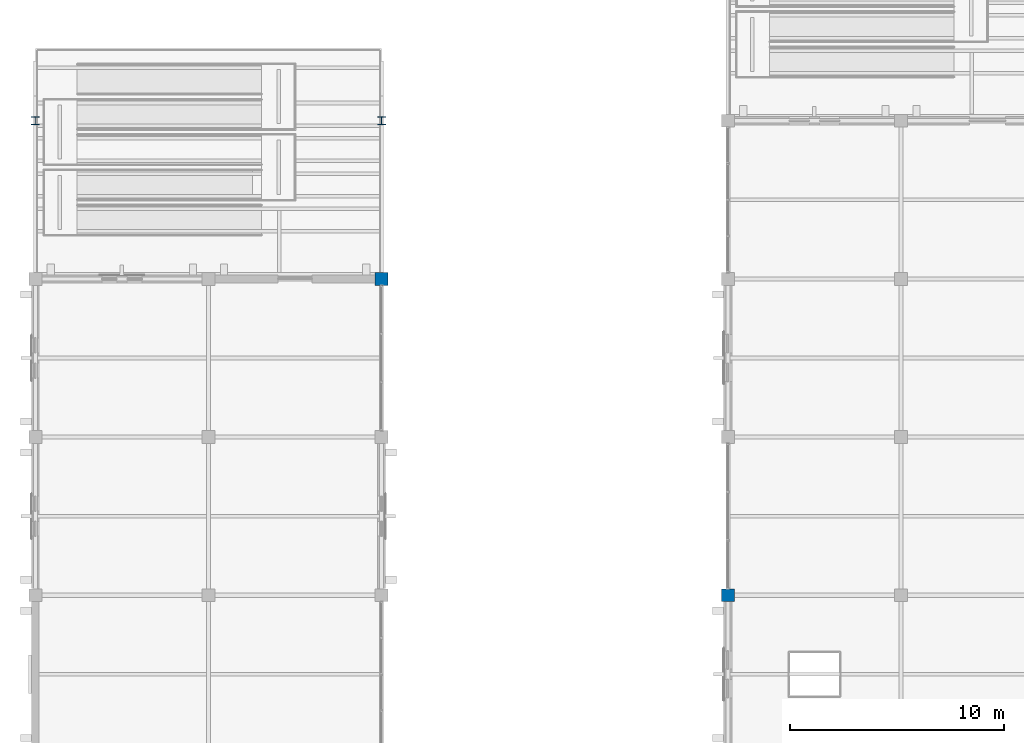
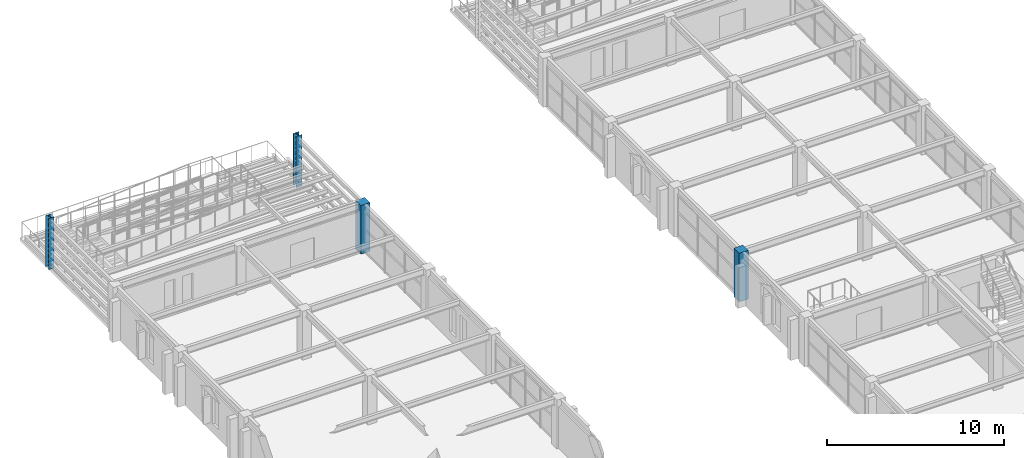
# One storey, part 2 of 121: 4 columns.
"""IFC4 building model written with IfcOpenShell, lengths in metres."""

from ifc_helpers import new_model, si_unit, direction, frame, origin, origin_2d, place, context, subcontext, project, spatial, rectangle, i_section, extrude, material, material_profile, profile_set, type_object, element, save


model = new_model("IFC4")

# Units and contexts
model_context = context("Model", 3, precision=1e-05, world=origin(), true_north=direction((0.0, 1.0)))
body_context = subcontext(model_context, "Body", "Model", "MODEL_VIEW")
ifc_project = project(units=[si_unit("LENGTHUNIT", "METRE"), si_unit("AREAUNIT", "SQUARE_METRE"), si_unit("VOLUMEUNIT", "CUBIC_METRE"), si_unit("PLANEANGLEUNIT", "RADIAN"), si_unit("MASSUNIT", "GRAM", prefix="KILO")], contexts=[model_context])

# Site, building, storey
site_placement = place(None, origin())
site = spatial("IfcSite", under=ifc_project, at=site_placement, CompositionType="ELEMENT")
building_placement = place(site_placement, origin())
building = spatial("IfcBuilding", under=site, at=building_placement, Name="Cimatlan Art Gallery", CompositionType="ELEMENT")
storey_placement = place(building_placement, frame((0.0, 0.0, 10.199951171875)))
storey = spatial("IfcBuildingStorey", under=building, at=storey_placement, Name="L02", CompositionType="ELEMENT", Elevation=10.199951171875)

# Columns
ifc_material_1 = material(Name="Concrete C45/55", Category="concrete")
ifc_material_profile_1 = material_profile(ifc_material_1, rectangle(XDim=0.60009765625, YDim=0.60009765625, at=origin_2d()), Name="RC600X600")
ifc_profile_set_1 = profile_set([ifc_material_profile_1], Name="Concrete C45/55")
column_type_1 = type_object("IfcColumnType", Name="COL-RC-600", PredefinedType="COLUMN", material=ifc_profile_set_1)
for number, where, z_axis, x_axis, name in (
    (1, (18.199951171875, 83.10009765625, 0.0), (0.0, 0.0, 1.0), (1.0, 0.0, 0.0), "COL-L02-02-11"),
    (2, (34.39990234375, 68.300048828125, 0.0), (0.0, 0.0, 1.0), (1.0, 0.0, 0.0), "COL-L02-04-09"),
):
    element("IfcColumn", number, at=place(storey_placement, frame(where, z_axis=z_axis, x_axis=x_axis)), inside=storey, type_object=column_type_1, Name=name, PredefinedType="COLUMN", context=body_context, shape_type="SweptSolid", body=[
        extrude(rectangle(XDim=0.60009765625, YDim=0.60009765625, at=origin_2d()), origin(), (0.0, 0.0, 1.0), 3.3701171875),
    ])
ifc_material_2 = material(Name="Steel ASTM A992 Grade 50", Category="steel")
ifc_material_profile_2 = material_profile(ifc_material_2, i_section(OverallWidth=0.368896484375, OverallDepth=0.35595703125, WebThickness=0.01123046875, FlangeThickness=0.01806640625, at=origin_2d()), Name="W14X90")
ifc_profile_set_2 = profile_set([ifc_material_profile_2], Name="Steel ASTM A992 Grade 50")
column_type_2 = type_object("IfcColumnType", Name="COL-STL-W14X90", PredefinedType="COLUMN", material=ifc_profile_set_2)
for number, where, z_axis, x_axis, name in (
    (3, (2.0, 90.5, 0.0), (0.0, 0.0, 1.0), (1.0, 0.0, 0.0), "COL-RMP-TER-B1-PRT-W"),
    (4, (18.199951171875, 90.5, 0.0), (0.0, 0.0, 1.0), (1.0, 0.0, 0.0), "COL-RMP-TER-B1-PRT-E"),
):
    element("IfcColumn", number, at=place(storey_placement, frame(where, z_axis=z_axis, x_axis=x_axis)), inside=storey, type_object=column_type_2, Name=name, PredefinedType="COLUMN", context=body_context, shape_type="SweptSolid", body=[
        extrude(i_section(OverallWidth=0.368896484375, OverallDepth=0.35595703125, WebThickness=0.01123046875, FlangeThickness=0.01806640625, at=origin_2d()), origin(), (0.0, 0.0, 1.0), 3.550048828125),
    ])

save(model, "model.ifc")
